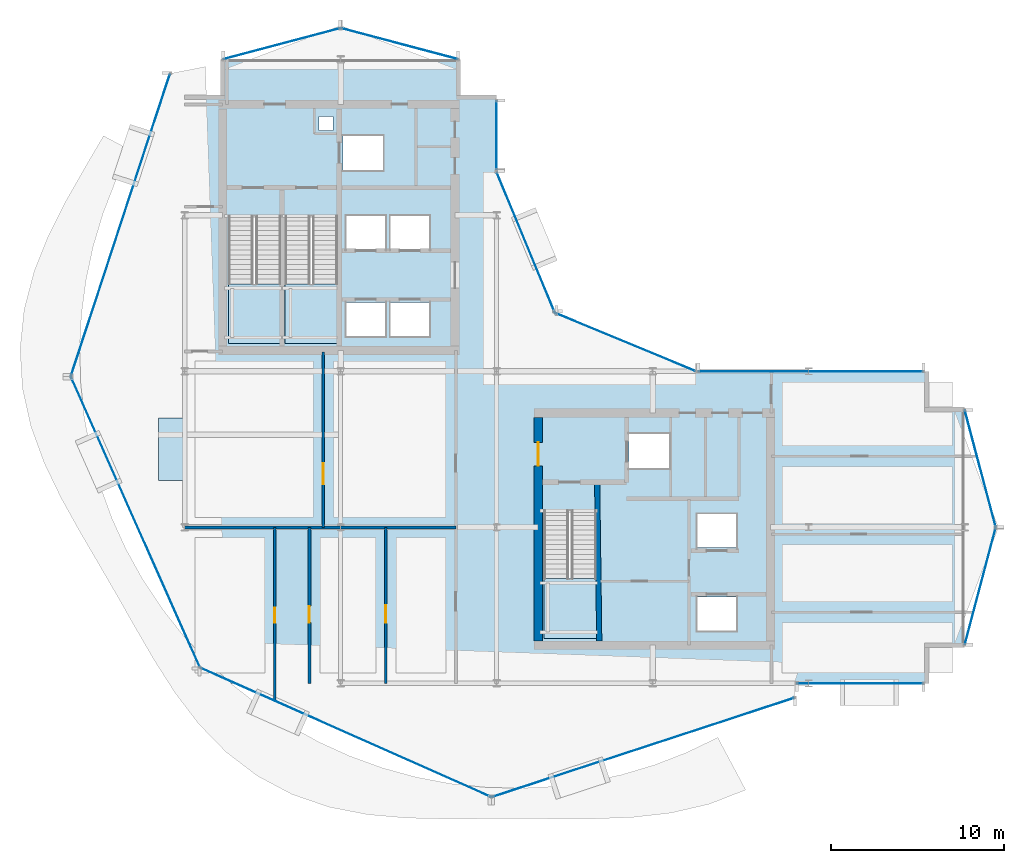
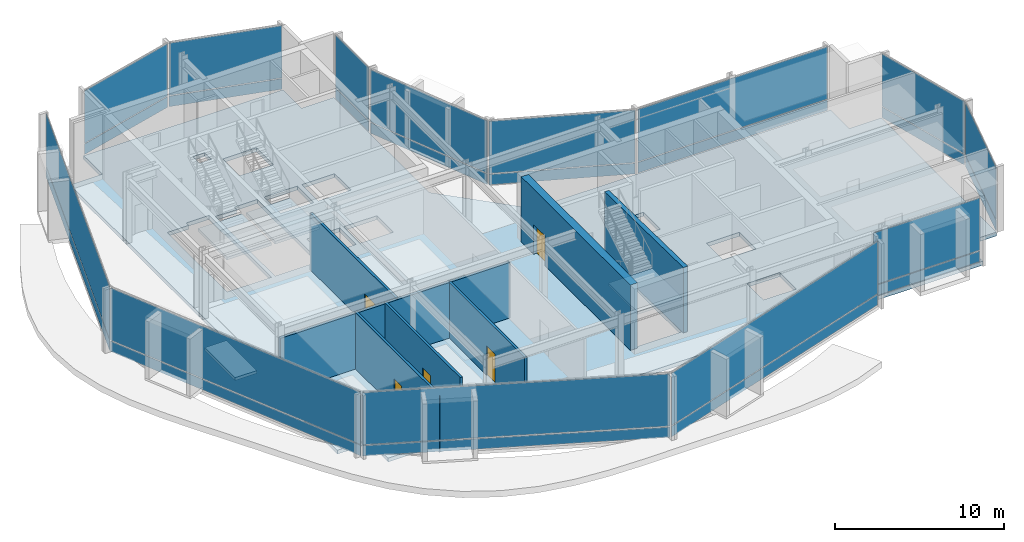
# One storey, part 19 of 28: 26 plates, 7 walls, 5 doors, 5 slabs, 5 openings, 16 elements without a shape of their own.
"""IFC4 building model written with IfcOpenShell, lengths in metres."""

from ifc_helpers import new_model, si_unit, direction, frame, frame_2d, origin, origin_2d, place, context, subcontext, project, spatial, polyline, rectangle, outline, extrude, material, layer, layer_set, type_object, element, fill, aggregate, save


model = new_model("IFC4")

# Units and contexts
model_context = context("Model", 3, precision=1e-05, world=origin(), true_north=direction((0.0, 1.0)))
body_context = subcontext(model_context, "Body", "Model", "MODEL_VIEW")
ifc_project = project(units=[si_unit("LENGTHUNIT", "METRE"), si_unit("AREAUNIT", "SQUARE_METRE"), si_unit("VOLUMEUNIT", "CUBIC_METRE"), si_unit("PLANEANGLEUNIT", "RADIAN"), si_unit("MASSUNIT", "GRAM", prefix="KILO")], contexts=[model_context])

# Site, building, storey
site_placement = place(None, origin())
site = spatial("IfcSite", under=ifc_project, at=site_placement, CompositionType="ELEMENT")
building_placement = place(site_placement, origin())
building = spatial("IfcBuilding", under=site, at=building_placement, Name="Solvaryn Broadcast Tower", CompositionType="ELEMENT")
storey_placement = place(building_placement, frame((0.0, 0.0, 201.199951171875)))
storey = spatial("IfcBuildingStorey", under=building, at=storey_placement, Name="L50", CompositionType="ELEMENT", Elevation=201.199951171875)

# Curtain wall, plates
ifc_material_1 = material(Name="Aluminium and Terracotta Unitised Curtain Wall", Category="masonry")
ifc_layer_1 = layer(ifc_material_1, 0.199951171875)
ifc_layer_set_1 = layer_set([ifc_layer_1], Name="CW-SYS2-LOWMID")
curtain_wall_type = type_object("IfcCurtainWallType", Name="CW-SYS2-LOWMID", PredefinedType="NOTDEFINED", material=ifc_layer_set_1)
curtain_wall_1_placement = place(storey_placement, origin())
curtain_wall_1 = element("IfcCurtainWall", 1, at=curtain_wall_1_placement, inside=storey, type_object=curtain_wall_type, Name="L50 Curtain Wall DR1", PredefinedType="NOTDEFINED")
ifc_material_2 = material(Name="Kiln-Fired Architectural Terracotta Spandrel", Category="masonry")
ifc_layer_2 = layer(ifc_material_2, 0.048095703125)
ifc_layer_set_2 = layer_set([ifc_layer_2], Name="CW-PNL-TERRACOTTA")
plate_type = type_object("IfcPlateType", Name="CW-PNL-TERRACOTTA", PredefinedType="CURTAIN_PANEL", material=ifc_layer_set_2)
plate_1_placement = place(storey_placement, frame((5.298095703125, 35.444091796875, 0.06005859375), z_axis=(0.0, 0.0, 1.0), x_axis=(-0.311558717623, -0.950226902099, 0.0)))
plate_1 = element("IfcPlate", 2, at=plate_1_placement, type_object=plate_type, Name="CWS2 panel 1.1", PredefinedType="CURTAIN_PANEL", context=body_context, shape_type="SweptSolid", body=[
    extrude(rectangle(XDim=18.271484375, YDim=0.028076171875, at=origin_2d()), origin(), (0.0, 0.0, 1.0), 0.760009765625),
])
plate_2_placement = place(storey_placement, frame((5.298095703125, 35.444091796875, 0.8798828125), z_axis=(0.0, 0.0, 1.0), x_axis=(-0.311558717623, -0.950226902099, 0.0)))
plate_2 = element("IfcPlate", 3, at=plate_2_placement, type_object=plate_type, Name="CWS2 panel 1.2", PredefinedType="CURTAIN_PANEL", context=body_context, shape_type="SweptSolid", body=[
    extrude(rectangle(XDim=18.271484375, YDim=0.028076171875, at=origin_2d()), origin(), (0.0, 0.0, 1.0), 3.780029296875),
])
aggregate(curtain_wall_1, [plate_1, plate_2])

curtain_wall_2_placement = place(storey_placement, origin())
curtain_wall_2 = element("IfcCurtainWall", 4, at=curtain_wall_2_placement, inside=storey, type_object=curtain_wall_type, Name="L50 Curtain Wall DR2", PredefinedType="NOTDEFINED")
plate_3_placement = place(storey_placement, frame((6.16552734375, 18.302001953125, 0.06005859375), z_axis=(0.0, 0.0, 1.0), x_axis=(0.405901337237, -0.913916902365, 0.0)))
plate_3 = element("IfcPlate", 5, at=plate_3_placement, type_object=plate_type, Name="CWS2 panel 1.1", PredefinedType="CURTAIN_PANEL", context=body_context, shape_type="SweptSolid", body=[
    extrude(rectangle(XDim=18.271240234375, YDim=0.028076171875, at=origin_2d()), origin(), (0.0, 0.0, 1.0), 0.760009765625),
])
plate_4_placement = place(storey_placement, frame((6.16552734375, 18.302001953125, 0.8798828125), z_axis=(0.0, 0.0, 1.0), x_axis=(0.405901337237, -0.913916902365, 0.0)))
plate_4 = element("IfcPlate", 6, at=plate_4_placement, type_object=plate_type, Name="CWS2 panel 1.2", PredefinedType="CURTAIN_PANEL", context=body_context, shape_type="SweptSolid", body=[
    extrude(rectangle(XDim=18.271240234375, YDim=0.028076171875, at=origin_2d()), origin(), (0.0, 0.0, 1.0), 3.780029296875),
])
aggregate(curtain_wall_2, [plate_3, plate_4])

curtain_wall_3_placement = place(storey_placement, origin())
curtain_wall_3 = element("IfcCurtainWall", 7, at=curtain_wall_3_placement, inside=storey, type_object=curtain_wall_type, Name="L50 Curtain Wall DR3", PredefinedType="NOTDEFINED")
plate_5_placement = place(storey_placement, frame((18.302001953125, 6.16552734375, 0.06005859375), z_axis=(0.0, 0.0, 1.0), x_axis=(0.913916902365, -0.405901337237, 0.0)))
plate_5 = element("IfcPlate", 8, at=plate_5_placement, type_object=plate_type, Name="CWS2 panel 1.1", PredefinedType="CURTAIN_PANEL", context=body_context, shape_type="SweptSolid", body=[
    extrude(rectangle(XDim=18.271240234375, YDim=0.028076171875, at=origin_2d()), origin(), (0.0, 0.0, 1.0), 0.760009765625),
])
plate_6_placement = place(storey_placement, frame((18.302001953125, 6.16552734375, 0.8798828125), z_axis=(0.0, 0.0, 1.0), x_axis=(0.913916902365, -0.405901337237, 0.0)))
plate_6 = element("IfcPlate", 9, at=plate_6_placement, type_object=plate_type, Name="CWS2 panel 1.2", PredefinedType="CURTAIN_PANEL", context=body_context, shape_type="SweptSolid", body=[
    extrude(rectangle(XDim=18.271240234375, YDim=0.028076171875, at=origin_2d()), origin(), (0.0, 0.0, 1.0), 3.780029296875),
])
aggregate(curtain_wall_3, [plate_5, plate_6])

curtain_wall_4_placement = place(storey_placement, origin())
curtain_wall_4 = element("IfcCurtainWall", 10, at=curtain_wall_4_placement, inside=storey, type_object=curtain_wall_type, Name="L50 Curtain Wall DR4", PredefinedType="NOTDEFINED")
plate_7_placement = place(storey_placement, frame((35.444091796875, 5.298095703125, 0.06005859375), z_axis=(0.0, 0.0, 1.0), x_axis=(0.950226902099, 0.311558717623, 0.0)))
plate_7 = element("IfcPlate", 11, at=plate_7_placement, type_object=plate_type, Name="CWS2 panel 1.1", PredefinedType="CURTAIN_PANEL", context=body_context, shape_type="SweptSolid", body=[
    extrude(rectangle(XDim=18.271484375, YDim=0.028076171875, at=origin_2d()), origin(), (0.0, 0.0, 1.0), 0.760009765625),
])
plate_8_placement = place(storey_placement, frame((35.444091796875, 5.298095703125, 0.8798828125), z_axis=(0.0, 0.0, 1.0), x_axis=(0.950226902099, 0.311558717623, 0.0)))
plate_8 = element("IfcPlate", 12, at=plate_8_placement, type_object=plate_type, Name="CWS2 panel 1.2", PredefinedType="CURTAIN_PANEL", context=body_context, shape_type="SweptSolid", body=[
    extrude(rectangle(XDim=18.271484375, YDim=0.028076171875, at=origin_2d()), origin(), (0.0, 0.0, 1.0), 3.780029296875),
])
aggregate(curtain_wall_4, [plate_7, plate_8])

curtain_wall_5_placement = place(storey_placement, origin())
curtain_wall_5 = element("IfcCurtainWall", 13, at=curtain_wall_5_placement, inside=storey, type_object=curtain_wall_type, Name="L50 Curtain Wall IV", PredefinedType="NOTDEFINED")
plate_9_placement = place(storey_placement, frame((27.0, 40.625, 0.06005859375), z_axis=(0.0, 0.0, 1.0), x_axis=(0.0, -1.0, 0.0)))
plate_9 = element("IfcPlate", 14, at=plate_9_placement, type_object=plate_type, Name="CWS2 panel 1.1", PredefinedType="CURTAIN_PANEL", context=body_context, shape_type="SweptSolid", body=[
    extrude(rectangle(XDim=3.929931640625, YDim=0.028076171875, at=origin_2d()), origin(), (0.0, 0.0, 1.0), 0.760009765625),
])
plate_10_placement = place(storey_placement, frame((27.0, 40.625, 0.8798828125), z_axis=(0.0, 0.0, 1.0), x_axis=(0.0, -1.0, 0.0)))
plate_10 = element("IfcPlate", 15, at=plate_10_placement, type_object=plate_type, Name="CWS2 panel 1.2", PredefinedType="CURTAIN_PANEL", context=body_context, shape_type="SweptSolid", body=[
    extrude(rectangle(XDim=3.929931640625, YDim=0.028076171875, at=origin_2d()), origin(), (0.0, 0.0, 1.0), 3.780029296875),
])
aggregate(curtain_wall_5, [plate_9, plate_10])

curtain_wall_6_placement = place(storey_placement, origin())
curtain_wall_6 = element("IfcCurtainWall", 16, at=curtain_wall_6_placement, inside=storey, type_object=curtain_wall_type, Name="L50 Curtain Wall CN1", PredefinedType="NOTDEFINED")
plate_11_placement = place(storey_placement, frame((34.43408203125, 28.68408203125, 0.06005859375), z_axis=(0.0, 0.0, 1.0), x_axis=(-0.923894983957, 0.382646127145, 0.0)))
plate_11 = element("IfcPlate", 17, at=plate_11_placement, type_object=plate_type, Name="CWS2 panel 1.1", PredefinedType="CURTAIN_PANEL", context=body_context, shape_type="SweptSolid", body=[
    extrude(rectangle(XDim=8.681884765625, YDim=0.028076171875, at=origin_2d()), origin(), (0.0, 0.0, 1.0), 0.760009765625),
])
plate_12_placement = place(storey_placement, frame((34.43408203125, 28.68408203125, 0.8798828125), z_axis=(0.0, 0.0, 1.0), x_axis=(-0.923894983957, 0.382646127145, 0.0)))
plate_12 = element("IfcPlate", 18, at=plate_12_placement, type_object=plate_type, Name="CWS2 panel 1.2", PredefinedType="CURTAIN_PANEL", context=body_context, shape_type="SweptSolid", body=[
    extrude(rectangle(XDim=8.681884765625, YDim=0.028076171875, at=origin_2d()), origin(), (0.0, 0.0, 1.0), 3.780029296875),
])
aggregate(curtain_wall_6, [plate_11, plate_12])

curtain_wall_7_placement = place(storey_placement, origin())
curtain_wall_7 = element("IfcCurtainWall", 19, at=curtain_wall_7_placement, inside=storey, type_object=curtain_wall_type, Name="L50 Curtain Wall CN2", PredefinedType="NOTDEFINED")
plate_13_placement = place(storey_placement, frame((28.68408203125, 34.43408203125, 0.06005859375), z_axis=(0.0, 0.0, 1.0), x_axis=(-0.382646127145, 0.923894983957, 0.0)))
plate_13 = element("IfcPlate", 20, at=plate_13_placement, type_object=plate_type, Name="CWS2 panel 1.1", PredefinedType="CURTAIN_PANEL", context=body_context, shape_type="SweptSolid", body=[
    extrude(rectangle(XDim=8.681884765625, YDim=0.028076171875, at=origin_2d()), origin(), (0.0, 0.0, 1.0), 0.760009765625),
])
plate_14_placement = place(storey_placement, frame((28.68408203125, 34.43408203125, 0.8798828125), z_axis=(0.0, 0.0, 1.0), x_axis=(-0.382646127145, 0.923894983957, 0.0)))
plate_14 = element("IfcPlate", 21, at=plate_14_placement, type_object=plate_type, Name="CWS2 panel 1.2", PredefinedType="CURTAIN_PANEL", context=body_context, shape_type="SweptSolid", body=[
    extrude(rectangle(XDim=8.681884765625, YDim=0.028076171875, at=origin_2d()), origin(), (0.0, 0.0, 1.0), 3.780029296875),
])
aggregate(curtain_wall_7, [plate_13, plate_14])

curtain_wall_8_placement = place(storey_placement, origin())
curtain_wall_8 = element("IfcCurtainWall", 22, at=curtain_wall_8_placement, inside=storey, type_object=curtain_wall_type, Name="L50 Curtain Wall S2", PredefinedType="NOTDEFINED")
plate_15_placement = place(storey_placement, frame((47.966064453125, 9.0, 0.06005859375), z_axis=(0.0, 0.0, 1.0), x_axis=(1.0, 0.0, 0.0)))
plate_15 = element("IfcPlate", 23, at=plate_15_placement, type_object=plate_type, Name="CWS2 panel 1.1", PredefinedType="CURTAIN_PANEL", context=body_context, shape_type="SweptSolid", body=[
    extrude(rectangle(XDim=7.248046875, YDim=0.028076171875, at=origin_2d()), origin(), (0.0, 0.0, 1.0), 0.760009765625),
])
plate_16_placement = place(storey_placement, frame((47.966064453125, 9.0, 0.8798828125), z_axis=(0.0, 0.0, 1.0), x_axis=(1.0, 0.0, 0.0)))
plate_16 = element("IfcPlate", 24, at=plate_16_placement, type_object=plate_type, Name="CWS2 panel 1.2", PredefinedType="CURTAIN_PANEL", context=body_context, shape_type="SweptSolid", body=[
    extrude(rectangle(XDim=7.248046875, YDim=0.028076171875, at=origin_2d()), origin(), (0.0, 0.0, 1.0), 3.780029296875),
])
aggregate(curtain_wall_8, [plate_15, plate_16])

curtain_wall_9_placement = place(storey_placement, origin())
curtain_wall_9 = element("IfcCurtainWall", 25, at=curtain_wall_9_placement, inside=storey, type_object=curtain_wall_type, Name="L50 Curtain Wall NT1", PredefinedType="NOTDEFINED")
plate_17_placement = place(storey_placement, frame((21.39990234375, 45.89990234375, 0.06005859375), z_axis=(0.0, 0.0, 1.0), x_axis=(-0.966705227863, 0.25589256031, 0.0)))
plate_17 = element("IfcPlate", 26, at=plate_17_placement, type_object=plate_type, Name="CWS2 panel 1.1", PredefinedType="CURTAIN_PANEL", context=body_context, shape_type="SweptSolid", body=[
    extrude(rectangle(XDim=6.914306640625, YDim=0.028076171875, at=origin_2d()), origin(), (0.0, 0.0, 1.0), 0.760009765625),
])
plate_18_placement = place(storey_placement, frame((21.39990234375, 45.89990234375, 0.8798828125), z_axis=(0.0, 0.0, 1.0), x_axis=(-0.966705227863, 0.25589256031, 0.0)))
plate_18 = element("IfcPlate", 27, at=plate_18_placement, type_object=plate_type, Name="CWS2 panel 1.2", PredefinedType="CURTAIN_PANEL", context=body_context, shape_type="SweptSolid", body=[
    extrude(rectangle(XDim=6.914306640625, YDim=0.028076171875, at=origin_2d()), origin(), (0.0, 0.0, 1.0), 3.780029296875),
])
aggregate(curtain_wall_9, [plate_17, plate_18])

curtain_wall_10_placement = place(storey_placement, origin())
curtain_wall_10 = element("IfcCurtainWall", 28, at=curtain_wall_10_placement, inside=storey, type_object=curtain_wall_type, Name="L50 Curtain Wall NT2", PredefinedType="NOTDEFINED")
plate_19_placement = place(storey_placement, frame((14.60009765625, 45.89990234375, 0.06005859375), z_axis=(0.0, 0.0, 1.0), x_axis=(-0.966705227863, -0.25589256031, 0.0)))
plate_19 = element("IfcPlate", 29, at=plate_19_placement, type_object=plate_type, Name="CWS2 panel 1.1", PredefinedType="CURTAIN_PANEL", context=body_context, shape_type="SweptSolid", body=[
    extrude(rectangle(XDim=6.914306640625, YDim=0.028076171875, at=origin_2d()), origin(), (0.0, 0.0, 1.0), 0.760009765625),
])
plate_20_placement = place(storey_placement, frame((14.60009765625, 45.89990234375, 0.8798828125), z_axis=(0.0, 0.0, 1.0), x_axis=(-0.966705227863, -0.25589256031, 0.0)))
plate_20 = element("IfcPlate", 30, at=plate_20_placement, type_object=plate_type, Name="CWS2 panel 1.2", PredefinedType="CURTAIN_PANEL", context=body_context, shape_type="SweptSolid", body=[
    extrude(rectangle(XDim=6.914306640625, YDim=0.028076171875, at=origin_2d()), origin(), (0.0, 0.0, 1.0), 3.780029296875),
])
aggregate(curtain_wall_10, [plate_19, plate_20])

curtain_wall_11_placement = place(storey_placement, origin())
curtain_wall_11 = element("IfcCurtainWall", 31, at=curtain_wall_11_placement, inside=storey, type_object=curtain_wall_type, Name="L50 Curtain Wall ET1", PredefinedType="NOTDEFINED")
plate_21_placement = place(storey_placement, frame((54.89990234375, 21.39990234375, 0.06005859375), z_axis=(0.0, 0.0, 1.0), x_axis=(0.25589256031, -0.966705227863, 0.0)))
plate_21 = element("IfcPlate", 32, at=plate_21_placement, type_object=plate_type, Name="CWS2 panel 1.1", PredefinedType="CURTAIN_PANEL", context=body_context, shape_type="SweptSolid", body=[
    extrude(rectangle(XDim=6.914306640625, YDim=0.028076171875, at=origin_2d()), origin(), (0.0, 0.0, 1.0), 0.760009765625),
])
plate_22_placement = place(storey_placement, frame((54.89990234375, 21.39990234375, 0.8798828125), z_axis=(0.0, 0.0, 1.0), x_axis=(0.25589256031, -0.966705227863, 0.0)))
plate_22 = element("IfcPlate", 33, at=plate_22_placement, type_object=plate_type, Name="CWS2 panel 1.2", PredefinedType="CURTAIN_PANEL", context=body_context, shape_type="SweptSolid", body=[
    extrude(rectangle(XDim=6.914306640625, YDim=0.028076171875, at=origin_2d()), origin(), (0.0, 0.0, 1.0), 3.780029296875),
])
aggregate(curtain_wall_11, [plate_21, plate_22])

curtain_wall_12_placement = place(storey_placement, origin())
curtain_wall_12 = element("IfcCurtainWall", 34, at=curtain_wall_12_placement, inside=storey, type_object=curtain_wall_type, Name="L50 Curtain Wall ET2", PredefinedType="NOTDEFINED")
plate_23_placement = place(storey_placement, frame((54.89990234375, 14.60009765625, 0.06005859375), z_axis=(0.0, 0.0, 1.0), x_axis=(-0.25589256031, -0.966705227863, 0.0)))
plate_23 = element("IfcPlate", 35, at=plate_23_placement, type_object=plate_type, Name="CWS2 panel 1.1", PredefinedType="CURTAIN_PANEL", context=body_context, shape_type="SweptSolid", body=[
    extrude(rectangle(XDim=6.914306640625, YDim=0.028076171875, at=origin_2d()), origin(), (0.0, 0.0, 1.0), 0.760009765625),
])
plate_24_placement = place(storey_placement, frame((54.89990234375, 14.60009765625, 0.8798828125), z_axis=(0.0, 0.0, 1.0), x_axis=(-0.25589256031, -0.966705227863, 0.0)))
plate_24 = element("IfcPlate", 36, at=plate_24_placement, type_object=plate_type, Name="CWS2 panel 1.2", PredefinedType="CURTAIN_PANEL", context=body_context, shape_type="SweptSolid", body=[
    extrude(rectangle(XDim=6.914306640625, YDim=0.028076171875, at=origin_2d()), origin(), (0.0, 0.0, 1.0), 3.780029296875),
])
aggregate(curtain_wall_12, [plate_23, plate_24])

curtain_wall_13_placement = place(storey_placement, origin())
curtain_wall_13 = element("IfcCurtainWall", 37, at=curtain_wall_13_placement, inside=storey, type_object=curtain_wall_type, Name="L50 Curtain Wall IH", PredefinedType="NOTDEFINED")
plate_25_placement = place(storey_placement, frame((45.125, 27.0, 0.06005859375), z_axis=(0.0, 0.0, 1.0), x_axis=(1.0, 0.0, 0.0)))
plate_25 = element("IfcPlate", 38, at=plate_25_placement, type_object=plate_type, Name="CWS2 panel 1.1", PredefinedType="CURTAIN_PANEL", context=body_context, shape_type="SweptSolid", body=[
    extrude(rectangle(XDim=12.929931640625, YDim=0.028076171875, at=origin_2d()), origin(), (0.0, 0.0, 1.0), 0.760009765625),
])
plate_26_placement = place(storey_placement, frame((45.125, 27.0, 0.8798828125), z_axis=(0.0, 0.0, 1.0), x_axis=(1.0, 0.0, 0.0)))
plate_26 = element("IfcPlate", 39, at=plate_26_placement, type_object=plate_type, Name="CWS2 panel 1.2", PredefinedType="CURTAIN_PANEL", context=body_context, shape_type="SweptSolid", body=[
    extrude(rectangle(XDim=12.929931640625, YDim=0.028076171875, at=origin_2d()), origin(), (0.0, 0.0, 1.0), 3.780029296875),
])
aggregate(curtain_wall_13, [plate_25, plate_26])

# Slab
ifc_material_3 = material(Name="Concrete f'c 60 MPa", Category="concrete")
ifc_layer_3 = layer(ifc_material_3, 0.2099609375)
ifc_layer_set_3 = layer_set([ifc_layer_3], Name="SL-BAYBOX-210")
slab_type_1 = type_object("IfcSlabType", Name="SL-BAYBOX-210", PredefinedType="FLOOR", material=ifc_layer_set_3)
slab_1_placement = place(storey_placement, frame((0.0, 0.0, -0.2099609375)))
element("IfcSlab", 40, at=slab_1_placement, inside=storey, type_object=slab_type_1, Name="L50 Projecting Bay-Box Slab 1", PredefinedType="FLOOR", context=body_context, shape_type="SweptSolid", body=[
    extrude(outline(polyline([(7.5, 20.699951171875), (9.0, 20.699951171875), (9.0, 24.300048828125), (7.5, 24.300048828125), (7.5, 20.699951171875)])), origin(), (0.0, 0.0, 1.0), 0.2099609375),
])

# Stair, slab
ifc_material_4 = material(Name="Concrete f'c 60 MPa", Category="concrete")
stair_type = type_object("IfcStairType", Name="ST-CORE", PredefinedType="HALF_TURN_STAIR", material=ifc_material_4)
stair_1_placement = place(storey_placement, origin())
stair_1 = element("IfcStair", 41, at=stair_1_placement, inside=storey, type_object=stair_type, Name="L50 ST1", PredefinedType="HALF_TURN_STAIR")
ifc_material_5 = material(Name="Concrete f'c 60 MPa", Category="concrete")
ifc_layer_4 = layer(ifc_material_5, 0.199951171875)
ifc_layer_set_4 = layer_set([ifc_layer_4], Name="SL-LANDING-200")
slab_type_2 = type_object("IfcSlabType", Name="SL-LANDING-200", PredefinedType="LANDING", material=ifc_layer_set_4)
slab_2_placement = place(storey_placement, frame((0.0, 0.0, 2.300048828125)))
slab_2 = element("IfcSlab", 42, at=slab_2_placement, type_object=slab_type_2, Name="ST1 landing 1", PredefinedType="LANDING", context=body_context, shape_type="SweptSolid", body=[
    extrude(outline(polyline([(11.52001953125, 32.0400390625), (11.52001953125, 28.60009765625), (14.550048828125, 28.60009765625), (14.550048828125, 32.0400390625), (11.52001953125, 32.0400390625)])), origin(), (0.0, 0.0, 1.0), 0.199951171875),
])
aggregate(stair_1, [slab_2])

stair_2_placement = place(storey_placement, origin())
stair_2 = element("IfcStair", 43, at=stair_2_placement, inside=storey, type_object=stair_type, Name="L50 ST2", PredefinedType="HALF_TURN_STAIR")
slab_3_placement = place(storey_placement, frame((0.0, 0.0, 2.300048828125)))
slab_3 = element("IfcSlab", 44, at=slab_3_placement, type_object=slab_type_2, Name="ST2 landing 1", PredefinedType="LANDING", context=body_context, shape_type="SweptSolid", body=[
    extrude(outline(polyline([(14.800048828125, 32.0400390625), (14.800048828125, 28.60009765625), (17.830078125, 28.60009765625), (17.830078125, 32.0400390625), (14.800048828125, 32.0400390625)])), origin(), (0.0, 0.0, 1.0), 0.199951171875),
])
aggregate(stair_2, [slab_3])

stair_3_placement = place(storey_placement, origin())
stair_3 = element("IfcStair", 45, at=stair_3_placement, inside=storey, type_object=stair_type, Name="L50 ST3", PredefinedType="HALF_TURN_STAIR")
slab_4_placement = place(storey_placement, frame((0.0, 0.0, 2.300048828125)))
slab_4 = element("IfcSlab", 46, at=slab_4_placement, type_object=slab_type_2, Name="ST3 landing 1", PredefinedType="LANDING", context=body_context, shape_type="SweptSolid", body=[
    extrude(outline(polyline([(29.719970703125, 15.0400390625), (29.719970703125, 11.60009765625), (32.75, 11.60009765625), (32.75, 15.0400390625), (29.719970703125, 15.0400390625)])), origin(), (0.0, 0.0, 1.0), 0.199951171875),
])
aggregate(stair_3, [slab_4])

# Slab
ifc_material_6 = material(Name="Concrete f'c 60 MPa", Category="concrete")
ifc_layer_5 = layer(ifc_material_6, 0.280029296875)
ifc_layer_set_5 = layer_set([ifc_layer_5], Name="SL-TWR-280")
slab_type_3 = type_object("IfcSlabType", Name="SL-TWR-280", PredefinedType="FLOOR", material=ifc_layer_set_5)
slab_5_placement = place(storey_placement, frame((0.0, 0.0, -0.280029296875)))
element("IfcSlab", 47, at=slab_5_placement, inside=storey, type_object=slab_type_3, Name="L50 Structural Floor Slab", PredefinedType="FLOOR", context=body_context, shape_type="SweptSolid", body=[
    extrude(outline(polyline([(11.199951171875, 9.0), (51.800048828125, 9.0), (51.800048828125, 11.199951171875), (54.0, 11.199951171875), (54.0, 24.800048828125), (51.800048828125, 24.800048828125), (51.800048828125, 27.0), (31.5, 27.0), (27.0, 31.5), (27.0, 42.800048828125), (24.800048828125, 42.800048828125), (24.800048828125, 45.0), (11.199951171875, 45.0), (11.199951171875, 42.800048828125), (9.0, 42.800048828125), (9.0, 11.199951171875), (11.199951171875, 11.199951171875), (11.199951171875, 9.0)]), holes=[polyline([(11.52001953125, 28.60009765625), (14.550048828125, 28.60009765625), (14.550048828125, 35.9599609375), (12.97998046875, 35.9599609375), (12.97998046875, 35.679931640625), (11.52001953125, 35.679931640625), (11.52001953125, 28.60009765625)]), polyline([(14.800048828125, 28.60009765625), (17.830078125, 28.60009765625), (17.830078125, 35.9599609375), (16.260009765625, 35.9599609375), (16.260009765625, 35.679931640625), (14.800048828125, 35.679931640625), (14.800048828125, 28.60009765625)]), polyline([(29.719970703125, 11.60009765625), (32.75, 11.60009765625), (32.75, 18.9599609375), (31.179931640625, 18.9599609375), (31.179931640625, 18.679931640625), (29.719970703125, 18.679931640625), (29.719970703125, 11.60009765625)]), polyline([(18.14990234375, 38.60009765625), (20.449951171875, 38.60009765625), (20.449951171875, 40.60009765625), (18.14990234375, 40.60009765625), (18.14990234375, 38.60009765625)]), polyline([(18.324951171875, 29.02490234375), (20.574951171875, 29.02490234375), (20.574951171875, 30.97509765625), (18.324951171875, 30.97509765625), (18.324951171875, 29.02490234375)]), polyline([(20.875, 29.02490234375), (23.125, 29.02490234375), (23.125, 30.97509765625), (20.875, 30.97509765625), (20.875, 29.02490234375)]), polyline([(18.324951171875, 34.02490234375), (20.574951171875, 34.02490234375), (20.574951171875, 35.97509765625), (18.324951171875, 35.97509765625), (18.324951171875, 34.02490234375)]), polyline([(20.875, 34.02490234375), (23.125, 34.02490234375), (23.125, 35.97509765625), (20.875, 35.97509765625), (20.875, 34.02490234375)]), polyline([(34.64990234375, 21.39990234375), (36.949951171875, 21.39990234375), (36.949951171875, 23.39990234375), (34.64990234375, 23.39990234375), (34.64990234375, 21.39990234375)]), polyline([(38.574951171875, 12.02490234375), (40.824951171875, 12.02490234375), (40.824951171875, 13.97509765625), (38.574951171875, 13.97509765625), (38.574951171875, 12.02490234375)]), polyline([(38.574951171875, 16.824951171875), (40.824951171875, 16.824951171875), (40.824951171875, 18.77490234375), (38.574951171875, 18.77490234375), (38.574951171875, 16.824951171875)]), polyline([(16.75, 40.89990234375), (17.550048828125, 40.89990234375), (17.550048828125, 41.699951171875), (16.75, 41.699951171875), (16.75, 40.89990234375)])]), origin(), (0.0, 0.0, 1.0), 0.280029296875),
])

# Wall, opening, door
ifc_material_7 = material(Name="Concrete f'c 70 MPa", Category="concrete")
ifc_layer_6 = layer(ifc_material_7, 0.5)
ifc_layer_set_6 = layer_set([ifc_layer_6], Name="CW-SHEAR-500")
wall_type_1 = type_object("IfcWallType", Name="CW-SHEAR-500", PredefinedType="SHEAR", material=ifc_layer_set_6)
wall_1_placement = place(storey_placement, frame((29.39990234375, 24.35009765625, 0.0), z_axis=(0.0, 0.0, 1.0), x_axis=(0.0, -1.0, 0.0)))
wall_1 = element("IfcWall", 48, at=wall_1_placement, inside=storey, type_object=wall_type_1, Name="L50 East Core West Shear Wall", PredefinedType="SHEAR", context=body_context, shape_type="SweptSolid", body=[
    extrude(rectangle(XDim=12.900146484375, YDim=0.5, at=frame_2d((6.4501953125, 0.0))), origin(), (0.0, 0.0, 1.0), 4.719970703125),
])
opening_1_placement = place(wall_1_placement, frame((1.449951171875, 0.0, 0.0)))
opening_1 = element("IfcOpeningElement", 49, at=opening_1_placement, cuts=wall_1, Name="Opening FD90B", PredefinedType="OPENING", context=body_context, shape_type="SweptSolid", body=[
    extrude(rectangle(XDim=1.35009765625, YDim=2.14990234375, at=frame_2d((0.675048828125, 1.074951171875))), frame((0.0, 0.260009765625, 0.0), z_axis=(0.0, -1.0, 0.0), x_axis=(1.0, 0.0, 0.0)), (0.0, 0.0, 1.0), 0.52001953125),
])
ifc_material_8 = material(Name="Flush Acoustic Steel and Timber Door Assembly", Category="steel")
door_type_1 = type_object("IfcDoorType", Name="FD90-LOBBY-1350X2150", OperationType="NOTDEFINED", PredefinedType="DOOR", material=ifc_material_8)
door_1_placement = place(opening_1_placement, origin())
door_1 = element("IfcDoor", 50, at=door_1_placement, inside=storey, type_object=door_type_1, Name="L50 East FSAE Lobby Door", OperationType="SINGLE_SWING_RIGHT", OverallHeight=2.14990234375, OverallWidth=1.35009765625, PredefinedType="DOOR", context=body_context, shape_type="SweptSolid", body=[
    extrude(rectangle(XDim=1.35009765625, YDim=2.14990234375, at=frame_2d((0.675048828125, 1.074951171875))), frame((0.0, 0.02490234375, 0.0), z_axis=(0.0, -1.0, 0.0), x_axis=(1.0, 0.0, 0.0)), (0.0, 0.0, 1.0), 0.050048828125),
])
fill(opening_1, door_1)

ifc_material_9 = material(Name="Metal-Stud Gypsum Office Partition")
ifc_layer_7 = layer(ifc_material_9, 0.159912109375)
ifc_layer_set_7 = layer_set([ifc_layer_7], Name="IW-PART-160")
wall_type_2 = type_object("IfcWallType", Name="IW-PART-160", PredefinedType="PARTITIONING", material=ifc_layer_set_7)
wall_2_placement = place(storey_placement, frame((17.0, 18.0, 0.0), z_axis=(0.0, 0.0, 1.0), x_axis=(0.0, 1.0, 0.0)))
wall_2 = element("IfcWall", 51, at=wall_2_placement, inside=storey, type_object=wall_type_2, Name="L50 Interior Partition IW-L50-SWN-V1", PredefinedType="PARTITIONING", context=body_context, shape_type="SweptSolid", body=[
    extrude(rectangle(XDim=10.1298828125, YDim=0.159912109375, at=frame_2d((5.06494140625, 0.0))), origin(), (0.0, 0.0, 1.0), 4.089111328125),
])
opening_2_placement = place(wall_2_placement, frame((2.5, 0.0, 0.0)))
opening_2 = element("IfcOpeningElement", 52, at=opening_2_placement, cuts=wall_2, Name="Opening ID04", PredefinedType="OPENING", context=body_context, shape_type="SweptSolid", body=[
    extrude(rectangle(XDim=1.199951171875, YDim=2.14990234375, at=frame_2d((0.60009765625, 1.074951171875))), frame((0.0, 0.090087890625, 0.0), z_axis=(0.0, -1.0, 0.0), x_axis=(1.0, 0.0, 0.0)), (0.0, 0.0, 1.0), 0.179931640625),
])
ifc_material_10 = material(Name="Flush Acoustic Steel and Timber Door Assembly", Category="steel")
door_type_2 = type_object("IfcDoorType", Name="ID-04-1200X2150", OperationType="NOTDEFINED", PredefinedType="DOOR", material=ifc_material_10)
door_2_placement = place(opening_2_placement, origin())
door_2 = element("IfcDoor", 53, at=door_2_placement, inside=storey, type_object=door_type_2, Name="L50 Door DR-L50-SWN-1", OperationType="SINGLE_SWING_RIGHT", OverallHeight=2.14990234375, OverallWidth=1.199951171875, PredefinedType="DOOR", context=body_context, shape_type="SweptSolid", body=[
    extrude(rectangle(XDim=1.199951171875, YDim=2.14990234375, at=frame_2d((0.60009765625, 1.074951171875))), frame((0.0, 0.02490234375, 0.0), z_axis=(0.0, -1.0, 0.0), x_axis=(1.0, 0.0, 0.0)), (0.0, 0.0, 1.0), 0.050048828125),
])
fill(opening_2, door_2)

wall_3_placement = place(storey_placement, frame((14.199951171875, 7.987060546875, 0.0), z_axis=(0.0, 0.0, 1.0), x_axis=(0.0, 1.0, 0.0)))
wall_3 = element("IfcWall", 54, at=wall_3_placement, inside=storey, type_object=wall_type_2, Name="L50 Interior Partition IW-L50-SWS-V1", PredefinedType="PARTITIONING", context=body_context, shape_type="SweptSolid", body=[
    extrude(rectangle(XDim=10.012939453125, YDim=0.159912109375, at=frame_2d((5.00634765625, 0.0))), origin(), (0.0, 0.0, 1.0), 4.089111328125),
])
opening_3_placement = place(wall_3_placement, frame((4.512939453125, 0.0, 0.0)))
opening_3 = element("IfcOpeningElement", 55, at=opening_3_placement, cuts=wall_3, Name="Opening ID07", PredefinedType="OPENING", context=body_context, shape_type="SweptSolid", body=[
    extrude(rectangle(XDim=0.860107421875, YDim=2.050048828125, at=frame_2d((0.43017578125, 1.02490234375))), frame((0.0, 0.090087890625, 0.0), z_axis=(0.0, -1.0, 0.0), x_axis=(1.0, 0.0, 0.0)), (0.0, 0.0, 1.0), 0.179931640625),
])
ifc_material_11 = material(Name="Flush Acoustic Steel and Timber Door Assembly", Category="steel")
door_type_3 = type_object("IfcDoorType", Name="ID-07-860X2050", OperationType="NOTDEFINED", PredefinedType="DOOR", material=ifc_material_11)
door_3_placement = place(opening_3_placement, origin())
door_3 = element("IfcDoor", 56, at=door_3_placement, inside=storey, type_object=door_type_3, Name="L50 Door DR-L50-SWS-1", OperationType="SINGLE_SWING_LEFT", OverallHeight=2.050048828125, OverallWidth=0.860107421875, PredefinedType="DOOR", context=body_context, shape_type="SweptSolid", body=[
    extrude(rectangle(XDim=0.860107421875, YDim=2.050048828125, at=frame_2d((0.43017578125, 1.02490234375))), frame((0.0, 0.02490234375, 0.0), z_axis=(0.0, -1.0, 0.0), x_axis=(1.0, 0.0, 0.0)), (0.0, 0.0, 1.0), 0.050048828125),
])
fill(opening_3, door_3)

wall_4_placement = place(storey_placement, frame((16.199951171875, 9.0, 0.0), z_axis=(0.0, 0.0, 1.0), x_axis=(0.0, 1.0, 0.0)))
wall_4 = element("IfcWall", 57, at=wall_4_placement, inside=storey, type_object=wall_type_2, Name="L50 Interior Partition IW-L50-SWS-V2", PredefinedType="PARTITIONING", context=body_context, shape_type="SweptSolid", body=[
    extrude(rectangle(XDim=9.0, YDim=0.159912109375, at=frame_2d((4.5, 0.0))), origin(), (0.0, 0.0, 1.0), 4.089111328125),
])
opening_4_placement = place(wall_4_placement, frame((3.5, 0.0, 0.0)))
opening_4 = element("IfcOpeningElement", 58, at=opening_4_placement, cuts=wall_4, Name="Opening ID01", PredefinedType="OPENING", context=body_context, shape_type="SweptSolid", body=[
    extrude(rectangle(XDim=0.949951171875, YDim=2.10009765625, at=frame_2d((0.47509765625, 1.050048828125))), frame((0.0, 0.090087890625, 0.0), z_axis=(0.0, -1.0, 0.0), x_axis=(1.0, 0.0, 0.0)), (0.0, 0.0, 1.0), 0.179931640625),
])
ifc_material_12 = material(Name="Flush Acoustic Steel and Timber Door Assembly", Category="steel")
door_type_4 = type_object("IfcDoorType", Name="ID-01-950X2100", OperationType="NOTDEFINED", PredefinedType="DOOR", material=ifc_material_12)
door_4_placement = place(opening_4_placement, origin())
door_4 = element("IfcDoor", 59, at=door_4_placement, inside=storey, type_object=door_type_4, Name="L50 Door DR-L50-SWS-2", OperationType="SINGLE_SWING_RIGHT", OverallHeight=2.10009765625, OverallWidth=0.949951171875, PredefinedType="DOOR", context=body_context, shape_type="SweptSolid", body=[
    extrude(rectangle(XDim=0.949951171875, YDim=2.10009765625, at=frame_2d((0.47509765625, 1.050048828125))), frame((0.0, 0.02490234375, 0.0), z_axis=(0.0, -1.0, 0.0), x_axis=(1.0, 0.0, 0.0)), (0.0, 0.0, 1.0), 0.050048828125),
])
fill(opening_4, door_4)

wall_5_placement = place(storey_placement, frame((20.60009765625, 9.0, 0.0), z_axis=(0.0, 0.0, 1.0), x_axis=(0.0, 1.0, 0.0)))
wall_5 = element("IfcWall", 60, at=wall_5_placement, inside=storey, type_object=wall_type_2, Name="L50 Interior Partition IW-L50-SWS-V3", PredefinedType="PARTITIONING", context=body_context, shape_type="SweptSolid", body=[
    extrude(rectangle(XDim=9.0, YDim=0.159912109375, at=frame_2d((4.5, 0.0))), origin(), (0.0, 0.0, 1.0), 4.007080078125),
])
opening_5_placement = place(wall_5_placement, frame((3.5, 0.0, 0.0)))
opening_5 = element("IfcOpeningElement", 61, at=opening_5_placement, cuts=wall_5, Name="Opening ID02", PredefinedType="OPENING", context=body_context, shape_type="SweptSolid", body=[
    extrude(rectangle(XDim=1.0, YDim=2.10009765625, at=frame_2d((0.5, 1.050048828125))), frame((0.0, 0.090087890625, 0.0), z_axis=(0.0, -1.0, 0.0), x_axis=(1.0, 0.0, 0.0)), (0.0, 0.0, 1.0), 0.179931640625),
])
ifc_material_13 = material(Name="Flush Acoustic Steel and Timber Door Assembly", Category="steel")
door_type_5 = type_object("IfcDoorType", Name="ID-02-1000X2100", OperationType="NOTDEFINED", PredefinedType="DOOR", material=ifc_material_13)
door_5_placement = place(opening_5_placement, origin())
door_5 = element("IfcDoor", 62, at=door_5_placement, inside=storey, type_object=door_type_5, Name="L50 Door DR-L50-SWS-3", OperationType="SINGLE_SWING_LEFT", OverallHeight=2.10009765625, OverallWidth=1.0, PredefinedType="DOOR", context=body_context, shape_type="SweptSolid", body=[
    extrude(rectangle(XDim=1.0, YDim=2.10009765625, at=frame_2d((0.5, 1.050048828125))), frame((0.0, 0.02490234375, 0.0), z_axis=(0.0, -1.0, 0.0), x_axis=(1.0, 0.0, 0.0)), (0.0, 0.0, 1.0), 0.050048828125),
])
fill(opening_5, door_5)

# Walls
ifc_material_14 = material(Name="Acoustic Metal-Stud Gypsum Partition")
ifc_layer_8 = layer(ifc_material_14, 0.179931640625)
ifc_layer_set_8 = layer_set([ifc_layer_8], Name="IW-PART-180")
wall_type_3 = type_object("IfcWallType", Name="IW-PART-180", PredefinedType="PARTITIONING", material=ifc_layer_set_8)
wall_6_placement = place(storey_placement, frame((9.0, 18.0, 0.0), z_axis=(0.0, 0.0, 1.0), x_axis=(1.0, 0.0, 0.0)))
element("IfcWall", 63, at=wall_6_placement, inside=storey, type_object=wall_type_3, Name="L50 Interior Partition IW-L50-SW-HY", PredefinedType="PARTITIONING", context=body_context, shape_type="SweptSolid", body=[
    extrude(rectangle(XDim=15.64990234375, YDim=0.179931640625, at=frame_2d((7.824951171875, 0.0))), origin(), (0.0, 0.0, 1.0), 4.007080078125),
])
ifc_material_15 = material(Name="Concrete f'c 70 MPa", Category="concrete")
ifc_layer_9 = layer(ifc_material_15, 0.300048828125)
ifc_layer_set_9 = layer_set([ifc_layer_9], Name="SW-SHAFT-300")
wall_type_4 = type_object("IfcWallType", Name="SW-SHAFT-300", PredefinedType="SHEAR", material=ifc_layer_set_9)
wall_7_placement = place(storey_placement, frame((32.919921875, 11.449951171875, 0.0), z_axis=(0.0, 0.0, 1.0), x_axis=(-0.013171578211, 0.999913251001, 0.0)))
element("IfcWall", 64, at=wall_7_placement, inside=storey, type_object=wall_type_4, Name="L50 Stair 3 East Shear Wall", PredefinedType="SHEAR", context=body_context, shape_type="SweptSolid", body=[
    extrude(rectangle(XDim=9.100830078125, YDim=0.300048828125, at=frame_2d((4.55029296875, 0.0))), origin(), (0.0, 0.0, 1.0), 4.719970703125),
])

save(model, "model.ifc")
